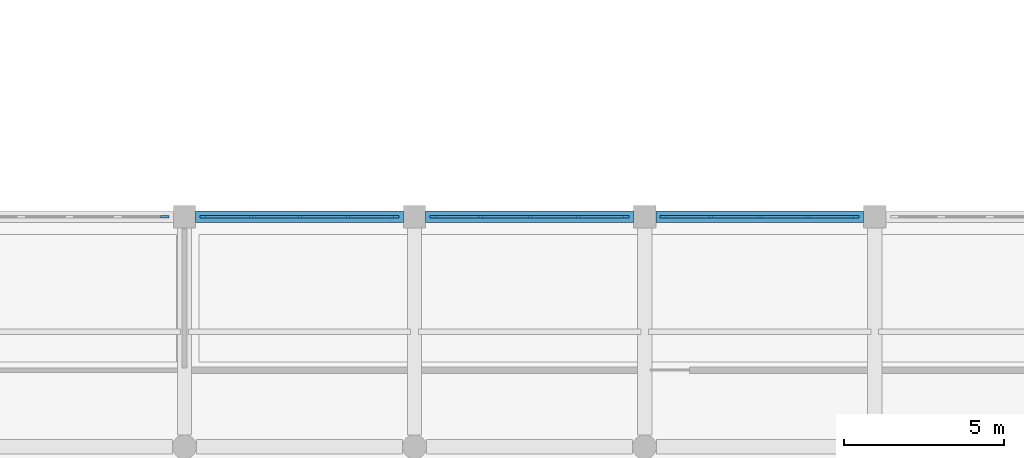
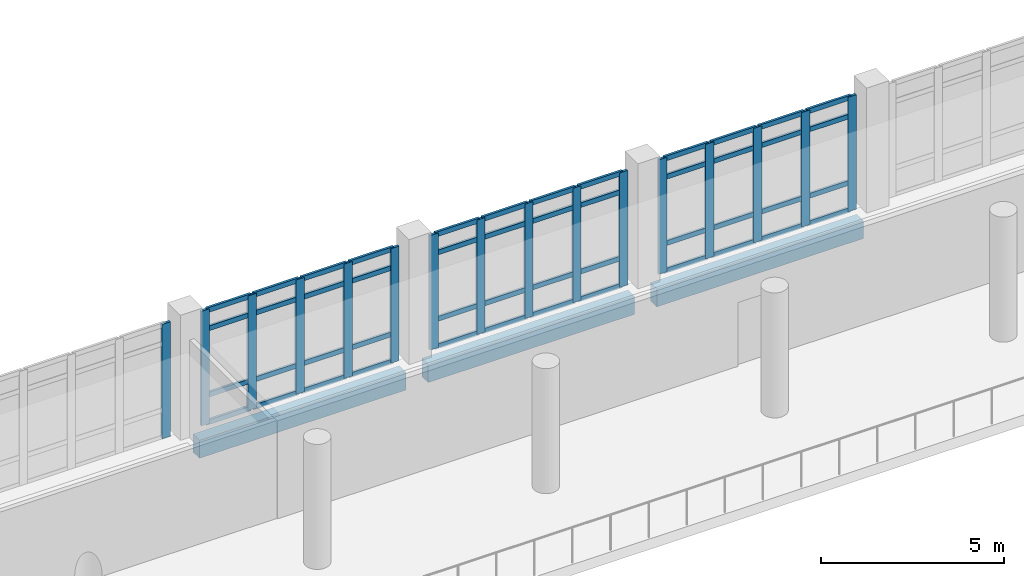
# One storey, part 19 of 57: 64 members, 3 beams, 4 elements without a shape of their own.
"""IFC4 building model written with IfcOpenShell, lengths in metres."""

from ifc_helpers import new_model, si_unit, direction, frame, origin, origin_2d, place, context, subcontext, project, spatial, rectangle, extrude, material, layer, layer_set, material_profile, profile_set, type_object, element, aggregate, save


model = new_model("IFC4")

# Units and contexts
model_context = context("Model", 3, precision=1e-05, world=origin(), true_north=direction((0.0, 1.0)))
body_context = subcontext(model_context, "Body", "Model", "MODEL_VIEW")
ifc_project = project(units=[si_unit("LENGTHUNIT", "METRE"), si_unit("AREAUNIT", "SQUARE_METRE"), si_unit("VOLUMEUNIT", "CUBIC_METRE"), si_unit("PLANEANGLEUNIT", "RADIAN"), si_unit("MASSUNIT", "GRAM", prefix="KILO")], contexts=[model_context])

# Site, building, storey
site_placement = place(None, origin())
site = spatial("IfcSite", under=ifc_project, at=site_placement, CompositionType="ELEMENT")
building_placement = place(site_placement, origin())
building = spatial("IfcBuilding", under=site, at=building_placement, Name="Valkovuoma Quantum and Materials Research Institute", CompositionType="ELEMENT")
storey_placement = place(building_placement, frame((0.0, 0.0, 4.800048828125)))
storey = spatial("IfcBuildingStorey", under=building, at=storey_placement, Name="L01", CompositionType="ELEMENT", Elevation=4.800048828125)

# Beams
ifc_material_1 = material(Name="Concrete C40/50", Category="concrete")
ifc_material_profile_1 = material_profile(ifc_material_1, rectangle(XDim=0.35009765625, YDim=0.60009765625, at=origin_2d()), Name="Concrete C40/50")
ifc_profile_set_1 = profile_set([ifc_material_profile_1], Name="Concrete C40/50")
beam_type = type_object("IfcBeamType", Name="Beam-B-SPN600", PredefinedType="SPANDREL", material=ifc_profile_set_1)
for number, where, z_axis, x_axis, name in (
    (1, (65.14990234375, 64.800048828125, -0.650146484375), (1.0, 0.0, 0.0), (0.0, 1.0, 0.0), "L01 beam X-0637"),
    (2, (72.35009765625, 64.800048828125, -0.650146484375), (1.0, 0.0, 0.0), (0.0, 1.0, 0.0), "L01 beam X-0638"),
    (3, (79.550048828125, 64.800048828125, -0.650146484375), (1.0, 0.0, 0.0), (0.0, 1.0, 0.0), "L01 beam X-0639"),
):
    element("IfcBeam", number, at=place(storey_placement, frame(where, z_axis=z_axis, x_axis=x_axis)), inside=storey, type_object=beam_type, Name=name, PredefinedType="SPANDREL", context=body_context, shape_type="SweptSolid", body=[
        extrude(rectangle(XDim=0.35009765625, YDim=0.60009765625, at=origin_2d()), origin(), (0.0, 0.0, 1.0), 6.5),
    ])

# Curtain wall, member
ifc_material_2 = material(Name="Thermally broken aluminium and triple low-E glazing", Category="aluminium")
ifc_layer = layer(ifc_material_2, 0.219970703125)
ifc_layer_set = layer_set([ifc_layer], Name="Thermally broken aluminium and triple low-E glazing")
curtain_wall_type = type_object("IfcCurtainWallType", Name="CW-CW-02", PredefinedType="NOTDEFINED", material=ifc_layer_set)
curtain_wall_1_placement = place(storey_placement, origin())
curtain_wall_1 = element("IfcCurtainWall", 4, at=curtain_wall_1_placement, inside=storey, type_object=curtain_wall_type, Name="L01 curtain wall 172", PredefinedType="NOTDEFINED")
ifc_material_3 = material(Name="Anodised aluminium 6060-T66", Category="aluminium")
ifc_material_profile_2 = material_profile(ifc_material_3, rectangle(XDim=0.080078125, YDim=0.260009765625, at=origin_2d()), Name="Anodised aluminium 6060-T66")
ifc_profile_set_2 = profile_set([ifc_material_profile_2], Name="Anodised aluminium 6060-T66")
member_type_1 = type_object("IfcMemberType", Name="CWMull-CWM-03", PredefinedType="MULLION", material=ifc_profile_set_2)
member_1_placement = place(storey_placement, frame((64.179931640625, 64.800048828125, 0.0), z_axis=(0.0, 0.0, 1.0), x_axis=(0.0, 1.0, 0.0)))
member_1 = element("IfcMember", 5, at=member_1_placement, type_object=member_type_1, Name="CW-02 mullion 5", PredefinedType="MULLION", context=body_context, shape_type="SweptSolid", body=[
    extrude(rectangle(XDim=0.080078125, YDim=0.260009765625, at=origin_2d()), origin(), (0.0, 0.0, 1.0), 3.81005859375),
])
aggregate(curtain_wall_1, [member_1])

# Curtain wall, members
curtain_wall_2_placement = place(storey_placement, origin())
curtain_wall_2 = element("IfcCurtainWall", 6, at=curtain_wall_2_placement, inside=storey, type_object=curtain_wall_type, Name="L01 curtain wall 173", PredefinedType="NOTDEFINED")
member_2_placement = place(storey_placement, frame((65.419921875, 64.800048828125, 0.0), z_axis=(0.0, 0.0, 1.0), x_axis=(0.0, 1.0, 0.0)))
member_2 = element("IfcMember", 7, at=member_2_placement, type_object=member_type_1, Name="CW-02 mullion 1", PredefinedType="MULLION", context=body_context, shape_type="SweptSolid", body=[
    extrude(rectangle(XDim=0.080078125, YDim=0.260009765625, at=origin_2d()), origin(), (0.0, 0.0, 1.0), 3.81005859375),
])
member_3_placement = place(storey_placement, frame((66.889892578125, 64.800048828125, 0.0), z_axis=(0.0, 0.0, 1.0), x_axis=(0.0, 1.0, 0.0)))
member_3 = element("IfcMember", 8, at=member_3_placement, type_object=member_type_1, Name="CW-02 mullion 2", PredefinedType="MULLION", context=body_context, shape_type="SweptSolid", body=[
    extrude(rectangle(XDim=0.080078125, YDim=0.260009765625, at=origin_2d()), origin(), (0.0, 0.0, 1.0), 3.81005859375),
])
member_4_placement = place(storey_placement, frame((68.39990234375, 64.800048828125, 0.0), z_axis=(0.0, 0.0, 1.0), x_axis=(0.0, 1.0, 0.0)))
member_4 = element("IfcMember", 9, at=member_4_placement, type_object=member_type_1, Name="CW-02 mullion 3", PredefinedType="MULLION", context=body_context, shape_type="SweptSolid", body=[
    extrude(rectangle(XDim=0.080078125, YDim=0.260009765625, at=origin_2d()), origin(), (0.0, 0.0, 1.0), 3.81005859375),
])
member_5_placement = place(storey_placement, frame((69.909912109375, 64.800048828125, 0.0), z_axis=(0.0, 0.0, 1.0), x_axis=(0.0, 1.0, 0.0)))
member_5 = element("IfcMember", 10, at=member_5_placement, type_object=member_type_1, Name="CW-02 mullion 4", PredefinedType="MULLION", context=body_context, shape_type="SweptSolid", body=[
    extrude(rectangle(XDim=0.080078125, YDim=0.260009765625, at=origin_2d()), origin(), (0.0, 0.0, 1.0), 3.81005859375),
])
member_6_placement = place(storey_placement, frame((71.3798828125, 64.800048828125, 0.0), z_axis=(0.0, 0.0, 1.0), x_axis=(0.0, 1.0, 0.0)))
member_6 = element("IfcMember", 11, at=member_6_placement, type_object=member_type_1, Name="CW-02 mullion 5", PredefinedType="MULLION", context=body_context, shape_type="SweptSolid", body=[
    extrude(rectangle(XDim=0.080078125, YDim=0.260009765625, at=origin_2d()), origin(), (0.0, 0.0, 1.0), 3.81005859375),
])

curtain_wall_3_placement = place(storey_placement, origin())
curtain_wall_3 = element("IfcCurtainWall", 12, at=curtain_wall_3_placement, inside=storey, type_object=curtain_wall_type, Name="L01 curtain wall 174", PredefinedType="NOTDEFINED")
member_7_placement = place(storey_placement, frame((72.6201171875, 64.800048828125, 0.0), z_axis=(0.0, 0.0, 1.0), x_axis=(0.0, 1.0, 0.0)))
member_7 = element("IfcMember", 13, at=member_7_placement, type_object=member_type_1, Name="CW-02 mullion 1", PredefinedType="MULLION", context=body_context, shape_type="SweptSolid", body=[
    extrude(rectangle(XDim=0.080078125, YDim=0.260009765625, at=origin_2d()), origin(), (0.0, 0.0, 1.0), 3.81005859375),
])
member_8_placement = place(storey_placement, frame((74.090087890625, 64.800048828125, 0.0), z_axis=(0.0, 0.0, 1.0), x_axis=(0.0, 1.0, 0.0)))
member_8 = element("IfcMember", 14, at=member_8_placement, type_object=member_type_1, Name="CW-02 mullion 2", PredefinedType="MULLION", context=body_context, shape_type="SweptSolid", body=[
    extrude(rectangle(XDim=0.080078125, YDim=0.260009765625, at=origin_2d()), origin(), (0.0, 0.0, 1.0), 3.81005859375),
])
member_9_placement = place(storey_placement, frame((75.60009765625, 64.800048828125, 0.0), z_axis=(0.0, 0.0, 1.0), x_axis=(0.0, 1.0, 0.0)))
member_9 = element("IfcMember", 15, at=member_9_placement, type_object=member_type_1, Name="CW-02 mullion 3", PredefinedType="MULLION", context=body_context, shape_type="SweptSolid", body=[
    extrude(rectangle(XDim=0.080078125, YDim=0.260009765625, at=origin_2d()), origin(), (0.0, 0.0, 1.0), 3.81005859375),
])
member_10_placement = place(storey_placement, frame((77.110107421875, 64.800048828125, 0.0), z_axis=(0.0, 0.0, 1.0), x_axis=(0.0, 1.0, 0.0)))
member_10 = element("IfcMember", 16, at=member_10_placement, type_object=member_type_1, Name="CW-02 mullion 4", PredefinedType="MULLION", context=body_context, shape_type="SweptSolid", body=[
    extrude(rectangle(XDim=0.080078125, YDim=0.260009765625, at=origin_2d()), origin(), (0.0, 0.0, 1.0), 3.81005859375),
])
member_11_placement = place(storey_placement, frame((78.580078125, 64.800048828125, 0.0), z_axis=(0.0, 0.0, 1.0), x_axis=(0.0, 1.0, 0.0)))
member_11 = element("IfcMember", 17, at=member_11_placement, type_object=member_type_1, Name="CW-02 mullion 5", PredefinedType="MULLION", context=body_context, shape_type="SweptSolid", body=[
    extrude(rectangle(XDim=0.080078125, YDim=0.260009765625, at=origin_2d()), origin(), (0.0, 0.0, 1.0), 3.81005859375),
])

curtain_wall_4_placement = place(storey_placement, origin())
curtain_wall_4 = element("IfcCurtainWall", 18, at=curtain_wall_4_placement, inside=storey, type_object=curtain_wall_type, Name="L01 curtain wall 175", PredefinedType="NOTDEFINED")
member_12_placement = place(storey_placement, frame((79.820068359375, 64.800048828125, 0.0), z_axis=(0.0, 0.0, 1.0), x_axis=(0.0, 1.0, 0.0)))
member_12 = element("IfcMember", 19, at=member_12_placement, type_object=member_type_1, Name="CW-02 mullion 1", PredefinedType="MULLION", context=body_context, shape_type="SweptSolid", body=[
    extrude(rectangle(XDim=0.080078125, YDim=0.260009765625, at=origin_2d()), origin(), (0.0, 0.0, 1.0), 3.81005859375),
])
member_13_placement = place(storey_placement, frame((81.2900390625, 64.800048828125, 0.0), z_axis=(0.0, 0.0, 1.0), x_axis=(0.0, 1.0, 0.0)))
member_13 = element("IfcMember", 20, at=member_13_placement, type_object=member_type_1, Name="CW-02 mullion 2", PredefinedType="MULLION", context=body_context, shape_type="SweptSolid", body=[
    extrude(rectangle(XDim=0.080078125, YDim=0.260009765625, at=origin_2d()), origin(), (0.0, 0.0, 1.0), 3.81005859375),
])
member_14_placement = place(storey_placement, frame((82.800048828125, 64.800048828125, 0.0), z_axis=(0.0, 0.0, 1.0), x_axis=(0.0, 1.0, 0.0)))
member_14 = element("IfcMember", 21, at=member_14_placement, type_object=member_type_1, Name="CW-02 mullion 3", PredefinedType="MULLION", context=body_context, shape_type="SweptSolid", body=[
    extrude(rectangle(XDim=0.080078125, YDim=0.260009765625, at=origin_2d()), origin(), (0.0, 0.0, 1.0), 3.81005859375),
])
member_15_placement = place(storey_placement, frame((84.31005859375, 64.800048828125, 0.0), z_axis=(0.0, 0.0, 1.0), x_axis=(0.0, 1.0, 0.0)))
member_15 = element("IfcMember", 22, at=member_15_placement, type_object=member_type_1, Name="CW-02 mullion 4", PredefinedType="MULLION", context=body_context, shape_type="SweptSolid", body=[
    extrude(rectangle(XDim=0.080078125, YDim=0.260009765625, at=origin_2d()), origin(), (0.0, 0.0, 1.0), 3.81005859375),
])
member_16_placement = place(storey_placement, frame((85.780029296875, 64.800048828125, 0.0), z_axis=(0.0, 0.0, 1.0), x_axis=(0.0, 1.0, 0.0)))
member_16 = element("IfcMember", 23, at=member_16_placement, type_object=member_type_1, Name="CW-02 mullion 5", PredefinedType="MULLION", context=body_context, shape_type="SweptSolid", body=[
    extrude(rectangle(XDim=0.080078125, YDim=0.260009765625, at=origin_2d()), origin(), (0.0, 0.0, 1.0), 3.81005859375),
])

# Member
ifc_material_4 = material(Name="Anodised aluminium 6060-T66", Category="aluminium")
ifc_material_profile_3 = material_profile(ifc_material_4, rectangle(XDim=0.074951171875, YDim=0.159912109375, at=origin_2d()), Name="Anodised aluminium 6060-T66")
ifc_profile_set_3 = profile_set([ifc_material_profile_3], Name="Anodised aluminium 6060-T66")
member_type_2 = type_object("IfcMemberType", Name="CWTran-CWT-02", PredefinedType="USERDEFINED", material=ifc_profile_set_3)
member_17_placement = place(storey_placement, frame((65.4599609375, 64.800048828125, 0.037353515625), z_axis=(1.0, 0.0, 0.0), x_axis=(0.0, 1.0, 0.0)))
member_17 = element("IfcMember", 24, at=member_17_placement, type_object=member_type_2, Name="CW-02 transom 1.1", ObjectType="TRANSOM", PredefinedType="USERDEFINED", context=body_context, shape_type="SweptSolid", body=[
    extrude(rectangle(XDim=0.074951171875, YDim=0.159912109375, at=origin_2d()), origin(), (0.0, 0.0, 1.0), 1.39013671875),
])

member_18_placement = place(storey_placement, frame((65.4599609375, 64.800048828125, 0.949951171875), z_axis=(1.0, 0.0, 0.0), x_axis=(0.0, 1.0, 0.0)))
member_18 = element("IfcMember", 25, at=member_18_placement, type_object=member_type_2, Name="CW-02 transom 1.2", ObjectType="TRANSOM", PredefinedType="USERDEFINED", context=body_context, shape_type="SweptSolid", body=[
    extrude(rectangle(XDim=0.074951171875, YDim=0.159912109375, at=origin_2d()), origin(), (0.0, 0.0, 1.0), 1.39013671875),
])

member_19_placement = place(storey_placement, frame((65.4599609375, 64.800048828125, 3.159912109375), z_axis=(1.0, 0.0, 0.0), x_axis=(0.0, 1.0, 0.0)))
member_19 = element("IfcMember", 26, at=member_19_placement, type_object=member_type_2, Name="CW-02 transom 1.3", ObjectType="TRANSOM", PredefinedType="USERDEFINED", context=body_context, shape_type="SweptSolid", body=[
    extrude(rectangle(XDim=0.074951171875, YDim=0.159912109375, at=origin_2d()), origin(), (0.0, 0.0, 1.0), 1.39013671875),
])

member_20_placement = place(storey_placement, frame((65.4599609375, 64.800048828125, 3.7724609375), z_axis=(1.0, 0.0, 0.0), x_axis=(0.0, 1.0, 0.0)))
member_20 = element("IfcMember", 27, at=member_20_placement, type_object=member_type_2, Name="CW-02 transom 1.4", ObjectType="TRANSOM", PredefinedType="USERDEFINED", context=body_context, shape_type="SweptSolid", body=[
    extrude(rectangle(XDim=0.074951171875, YDim=0.159912109375, at=origin_2d()), origin(), (0.0, 0.0, 1.0), 1.39013671875),
])

member_21_placement = place(storey_placement, frame((66.929931640625, 64.800048828125, 0.037353515625), z_axis=(1.0, 0.0, 0.0), x_axis=(0.0, 1.0, 0.0)))
member_21 = element("IfcMember", 28, at=member_21_placement, type_object=member_type_2, Name="CW-02 transom 2.1", ObjectType="TRANSOM", PredefinedType="USERDEFINED", context=body_context, shape_type="SweptSolid", body=[
    extrude(rectangle(XDim=0.074951171875, YDim=0.159912109375, at=origin_2d()), origin(), (0.0, 0.0, 1.0), 1.43017578125),
])

member_22_placement = place(storey_placement, frame((66.929931640625, 64.800048828125, 0.949951171875), z_axis=(1.0, 0.0, 0.0), x_axis=(0.0, 1.0, 0.0)))
member_22 = element("IfcMember", 29, at=member_22_placement, type_object=member_type_2, Name="CW-02 transom 2.2", ObjectType="TRANSOM", PredefinedType="USERDEFINED", context=body_context, shape_type="SweptSolid", body=[
    extrude(rectangle(XDim=0.074951171875, YDim=0.159912109375, at=origin_2d()), origin(), (0.0, 0.0, 1.0), 1.43017578125),
])

member_23_placement = place(storey_placement, frame((66.929931640625, 64.800048828125, 3.159912109375), z_axis=(1.0, 0.0, 0.0), x_axis=(0.0, 1.0, 0.0)))
member_23 = element("IfcMember", 30, at=member_23_placement, type_object=member_type_2, Name="CW-02 transom 2.3", ObjectType="TRANSOM", PredefinedType="USERDEFINED", context=body_context, shape_type="SweptSolid", body=[
    extrude(rectangle(XDim=0.074951171875, YDim=0.159912109375, at=origin_2d()), origin(), (0.0, 0.0, 1.0), 1.43017578125),
])

member_24_placement = place(storey_placement, frame((66.929931640625, 64.800048828125, 3.7724609375), z_axis=(1.0, 0.0, 0.0), x_axis=(0.0, 1.0, 0.0)))
member_24 = element("IfcMember", 31, at=member_24_placement, type_object=member_type_2, Name="CW-02 transom 2.4", ObjectType="TRANSOM", PredefinedType="USERDEFINED", context=body_context, shape_type="SweptSolid", body=[
    extrude(rectangle(XDim=0.074951171875, YDim=0.159912109375, at=origin_2d()), origin(), (0.0, 0.0, 1.0), 1.43017578125),
])

member_25_placement = place(storey_placement, frame((68.43994140625, 64.800048828125, 0.037353515625), z_axis=(1.0, 0.0, 0.0), x_axis=(0.0, 1.0, 0.0)))
member_25 = element("IfcMember", 32, at=member_25_placement, type_object=member_type_2, Name="CW-02 transom 3.1", ObjectType="TRANSOM", PredefinedType="USERDEFINED", context=body_context, shape_type="SweptSolid", body=[
    extrude(rectangle(XDim=0.074951171875, YDim=0.159912109375, at=origin_2d()), origin(), (0.0, 0.0, 1.0), 1.43017578125),
])

member_26_placement = place(storey_placement, frame((68.43994140625, 64.800048828125, 0.949951171875), z_axis=(1.0, 0.0, 0.0), x_axis=(0.0, 1.0, 0.0)))
member_26 = element("IfcMember", 33, at=member_26_placement, type_object=member_type_2, Name="CW-02 transom 3.2", ObjectType="TRANSOM", PredefinedType="USERDEFINED", context=body_context, shape_type="SweptSolid", body=[
    extrude(rectangle(XDim=0.074951171875, YDim=0.159912109375, at=origin_2d()), origin(), (0.0, 0.0, 1.0), 1.43017578125),
])

member_27_placement = place(storey_placement, frame((68.43994140625, 64.800048828125, 3.159912109375), z_axis=(1.0, 0.0, 0.0), x_axis=(0.0, 1.0, 0.0)))
member_27 = element("IfcMember", 34, at=member_27_placement, type_object=member_type_2, Name="CW-02 transom 3.3", ObjectType="TRANSOM", PredefinedType="USERDEFINED", context=body_context, shape_type="SweptSolid", body=[
    extrude(rectangle(XDim=0.074951171875, YDim=0.159912109375, at=origin_2d()), origin(), (0.0, 0.0, 1.0), 1.43017578125),
])

member_28_placement = place(storey_placement, frame((68.43994140625, 64.800048828125, 3.7724609375), z_axis=(1.0, 0.0, 0.0), x_axis=(0.0, 1.0, 0.0)))
member_28 = element("IfcMember", 35, at=member_28_placement, type_object=member_type_2, Name="CW-02 transom 3.4", ObjectType="TRANSOM", PredefinedType="USERDEFINED", context=body_context, shape_type="SweptSolid", body=[
    extrude(rectangle(XDim=0.074951171875, YDim=0.159912109375, at=origin_2d()), origin(), (0.0, 0.0, 1.0), 1.43017578125),
])

member_29_placement = place(storey_placement, frame((69.949951171875, 64.800048828125, 0.037353515625), z_axis=(1.0, 0.0, 0.0), x_axis=(0.0, 1.0, 0.0)))
member_29 = element("IfcMember", 36, at=member_29_placement, type_object=member_type_2, Name="CW-02 transom 4.1", ObjectType="TRANSOM", PredefinedType="USERDEFINED", context=body_context, shape_type="SweptSolid", body=[
    extrude(rectangle(XDim=0.074951171875, YDim=0.159912109375, at=origin_2d()), origin(), (0.0, 0.0, 1.0), 1.39013671875),
])

member_30_placement = place(storey_placement, frame((69.949951171875, 64.800048828125, 0.949951171875), z_axis=(1.0, 0.0, 0.0), x_axis=(0.0, 1.0, 0.0)))
member_30 = element("IfcMember", 37, at=member_30_placement, type_object=member_type_2, Name="CW-02 transom 4.2", ObjectType="TRANSOM", PredefinedType="USERDEFINED", context=body_context, shape_type="SweptSolid", body=[
    extrude(rectangle(XDim=0.074951171875, YDim=0.159912109375, at=origin_2d()), origin(), (0.0, 0.0, 1.0), 1.39013671875),
])

member_31_placement = place(storey_placement, frame((69.949951171875, 64.800048828125, 3.159912109375), z_axis=(1.0, 0.0, 0.0), x_axis=(0.0, 1.0, 0.0)))
member_31 = element("IfcMember", 38, at=member_31_placement, type_object=member_type_2, Name="CW-02 transom 4.3", ObjectType="TRANSOM", PredefinedType="USERDEFINED", context=body_context, shape_type="SweptSolid", body=[
    extrude(rectangle(XDim=0.074951171875, YDim=0.159912109375, at=origin_2d()), origin(), (0.0, 0.0, 1.0), 1.39013671875),
])

member_32_placement = place(storey_placement, frame((69.949951171875, 64.800048828125, 3.7724609375), z_axis=(1.0, 0.0, 0.0), x_axis=(0.0, 1.0, 0.0)))
member_32 = element("IfcMember", 39, at=member_32_placement, type_object=member_type_2, Name="CW-02 transom 4.4", ObjectType="TRANSOM", PredefinedType="USERDEFINED", context=body_context, shape_type="SweptSolid", body=[
    extrude(rectangle(XDim=0.074951171875, YDim=0.159912109375, at=origin_2d()), origin(), (0.0, 0.0, 1.0), 1.39013671875),
])

aggregate(curtain_wall_2, [member_2, member_3, member_4, member_5, member_6, member_17, member_18, member_19, member_20, member_21, member_22, member_23, member_24, member_25, member_26, member_27, member_28, member_29, member_30, member_31, member_32])

member_33_placement = place(storey_placement, frame((72.659912109375, 64.800048828125, 0.037353515625), z_axis=(1.0, 0.0, 0.0), x_axis=(0.0, 1.0, 0.0)))
member_33 = element("IfcMember", 40, at=member_33_placement, type_object=member_type_2, Name="CW-02 transom 1.1", ObjectType="TRANSOM", PredefinedType="USERDEFINED", context=body_context, shape_type="SweptSolid", body=[
    extrude(rectangle(XDim=0.074951171875, YDim=0.159912109375, at=origin_2d()), origin(), (0.0, 0.0, 1.0), 1.39013671875),
])

member_34_placement = place(storey_placement, frame((72.659912109375, 64.800048828125, 0.949951171875), z_axis=(1.0, 0.0, 0.0), x_axis=(0.0, 1.0, 0.0)))
member_34 = element("IfcMember", 41, at=member_34_placement, type_object=member_type_2, Name="CW-02 transom 1.2", ObjectType="TRANSOM", PredefinedType="USERDEFINED", context=body_context, shape_type="SweptSolid", body=[
    extrude(rectangle(XDim=0.074951171875, YDim=0.159912109375, at=origin_2d()), origin(), (0.0, 0.0, 1.0), 1.39013671875),
])

member_35_placement = place(storey_placement, frame((72.659912109375, 64.800048828125, 3.159912109375), z_axis=(1.0, 0.0, 0.0), x_axis=(0.0, 1.0, 0.0)))
member_35 = element("IfcMember", 42, at=member_35_placement, type_object=member_type_2, Name="CW-02 transom 1.3", ObjectType="TRANSOM", PredefinedType="USERDEFINED", context=body_context, shape_type="SweptSolid", body=[
    extrude(rectangle(XDim=0.074951171875, YDim=0.159912109375, at=origin_2d()), origin(), (0.0, 0.0, 1.0), 1.39013671875),
])

member_36_placement = place(storey_placement, frame((72.659912109375, 64.800048828125, 3.7724609375), z_axis=(1.0, 0.0, 0.0), x_axis=(0.0, 1.0, 0.0)))
member_36 = element("IfcMember", 43, at=member_36_placement, type_object=member_type_2, Name="CW-02 transom 1.4", ObjectType="TRANSOM", PredefinedType="USERDEFINED", context=body_context, shape_type="SweptSolid", body=[
    extrude(rectangle(XDim=0.074951171875, YDim=0.159912109375, at=origin_2d()), origin(), (0.0, 0.0, 1.0), 1.39013671875),
])

member_37_placement = place(storey_placement, frame((74.1298828125, 64.800048828125, 0.037353515625), z_axis=(1.0, 0.0, 0.0), x_axis=(0.0, 1.0, 0.0)))
member_37 = element("IfcMember", 44, at=member_37_placement, type_object=member_type_2, Name="CW-02 transom 2.1", ObjectType="TRANSOM", PredefinedType="USERDEFINED", context=body_context, shape_type="SweptSolid", body=[
    extrude(rectangle(XDim=0.074951171875, YDim=0.159912109375, at=origin_2d()), origin(), (0.0, 0.0, 1.0), 1.43017578125),
])

member_38_placement = place(storey_placement, frame((74.1298828125, 64.800048828125, 0.949951171875), z_axis=(1.0, 0.0, 0.0), x_axis=(0.0, 1.0, 0.0)))
member_38 = element("IfcMember", 45, at=member_38_placement, type_object=member_type_2, Name="CW-02 transom 2.2", ObjectType="TRANSOM", PredefinedType="USERDEFINED", context=body_context, shape_type="SweptSolid", body=[
    extrude(rectangle(XDim=0.074951171875, YDim=0.159912109375, at=origin_2d()), origin(), (0.0, 0.0, 1.0), 1.43017578125),
])

member_39_placement = place(storey_placement, frame((74.1298828125, 64.800048828125, 3.159912109375), z_axis=(1.0, 0.0, 0.0), x_axis=(0.0, 1.0, 0.0)))
member_39 = element("IfcMember", 46, at=member_39_placement, type_object=member_type_2, Name="CW-02 transom 2.3", ObjectType="TRANSOM", PredefinedType="USERDEFINED", context=body_context, shape_type="SweptSolid", body=[
    extrude(rectangle(XDim=0.074951171875, YDim=0.159912109375, at=origin_2d()), origin(), (0.0, 0.0, 1.0), 1.43017578125),
])

member_40_placement = place(storey_placement, frame((74.1298828125, 64.800048828125, 3.7724609375), z_axis=(1.0, 0.0, 0.0), x_axis=(0.0, 1.0, 0.0)))
member_40 = element("IfcMember", 47, at=member_40_placement, type_object=member_type_2, Name="CW-02 transom 2.4", ObjectType="TRANSOM", PredefinedType="USERDEFINED", context=body_context, shape_type="SweptSolid", body=[
    extrude(rectangle(XDim=0.074951171875, YDim=0.159912109375, at=origin_2d()), origin(), (0.0, 0.0, 1.0), 1.43017578125),
])

member_41_placement = place(storey_placement, frame((75.639892578125, 64.800048828125, 0.037353515625), z_axis=(1.0, 0.0, 0.0), x_axis=(0.0, 1.0, 0.0)))
member_41 = element("IfcMember", 48, at=member_41_placement, type_object=member_type_2, Name="CW-02 transom 3.1", ObjectType="TRANSOM", PredefinedType="USERDEFINED", context=body_context, shape_type="SweptSolid", body=[
    extrude(rectangle(XDim=0.074951171875, YDim=0.159912109375, at=origin_2d()), origin(), (0.0, 0.0, 1.0), 1.43017578125),
])

member_42_placement = place(storey_placement, frame((75.639892578125, 64.800048828125, 0.949951171875), z_axis=(1.0, 0.0, 0.0), x_axis=(0.0, 1.0, 0.0)))
member_42 = element("IfcMember", 49, at=member_42_placement, type_object=member_type_2, Name="CW-02 transom 3.2", ObjectType="TRANSOM", PredefinedType="USERDEFINED", context=body_context, shape_type="SweptSolid", body=[
    extrude(rectangle(XDim=0.074951171875, YDim=0.159912109375, at=origin_2d()), origin(), (0.0, 0.0, 1.0), 1.43017578125),
])

member_43_placement = place(storey_placement, frame((75.639892578125, 64.800048828125, 3.159912109375), z_axis=(1.0, 0.0, 0.0), x_axis=(0.0, 1.0, 0.0)))
member_43 = element("IfcMember", 50, at=member_43_placement, type_object=member_type_2, Name="CW-02 transom 3.3", ObjectType="TRANSOM", PredefinedType="USERDEFINED", context=body_context, shape_type="SweptSolid", body=[
    extrude(rectangle(XDim=0.074951171875, YDim=0.159912109375, at=origin_2d()), origin(), (0.0, 0.0, 1.0), 1.43017578125),
])

member_44_placement = place(storey_placement, frame((75.639892578125, 64.800048828125, 3.7724609375), z_axis=(1.0, 0.0, 0.0), x_axis=(0.0, 1.0, 0.0)))
member_44 = element("IfcMember", 51, at=member_44_placement, type_object=member_type_2, Name="CW-02 transom 3.4", ObjectType="TRANSOM", PredefinedType="USERDEFINED", context=body_context, shape_type="SweptSolid", body=[
    extrude(rectangle(XDim=0.074951171875, YDim=0.159912109375, at=origin_2d()), origin(), (0.0, 0.0, 1.0), 1.43017578125),
])

member_45_placement = place(storey_placement, frame((77.14990234375, 64.800048828125, 0.037353515625), z_axis=(1.0, 0.0, 0.0), x_axis=(0.0, 1.0, 0.0)))
member_45 = element("IfcMember", 52, at=member_45_placement, type_object=member_type_2, Name="CW-02 transom 4.1", ObjectType="TRANSOM", PredefinedType="USERDEFINED", context=body_context, shape_type="SweptSolid", body=[
    extrude(rectangle(XDim=0.074951171875, YDim=0.159912109375, at=origin_2d()), origin(), (0.0, 0.0, 1.0), 1.39013671875),
])

member_46_placement = place(storey_placement, frame((77.14990234375, 64.800048828125, 0.949951171875), z_axis=(1.0, 0.0, 0.0), x_axis=(0.0, 1.0, 0.0)))
member_46 = element("IfcMember", 53, at=member_46_placement, type_object=member_type_2, Name="CW-02 transom 4.2", ObjectType="TRANSOM", PredefinedType="USERDEFINED", context=body_context, shape_type="SweptSolid", body=[
    extrude(rectangle(XDim=0.074951171875, YDim=0.159912109375, at=origin_2d()), origin(), (0.0, 0.0, 1.0), 1.39013671875),
])

member_47_placement = place(storey_placement, frame((77.14990234375, 64.800048828125, 3.159912109375), z_axis=(1.0, 0.0, 0.0), x_axis=(0.0, 1.0, 0.0)))
member_47 = element("IfcMember", 54, at=member_47_placement, type_object=member_type_2, Name="CW-02 transom 4.3", ObjectType="TRANSOM", PredefinedType="USERDEFINED", context=body_context, shape_type="SweptSolid", body=[
    extrude(rectangle(XDim=0.074951171875, YDim=0.159912109375, at=origin_2d()), origin(), (0.0, 0.0, 1.0), 1.39013671875),
])

member_48_placement = place(storey_placement, frame((77.14990234375, 64.800048828125, 3.7724609375), z_axis=(1.0, 0.0, 0.0), x_axis=(0.0, 1.0, 0.0)))
member_48 = element("IfcMember", 55, at=member_48_placement, type_object=member_type_2, Name="CW-02 transom 4.4", ObjectType="TRANSOM", PredefinedType="USERDEFINED", context=body_context, shape_type="SweptSolid", body=[
    extrude(rectangle(XDim=0.074951171875, YDim=0.159912109375, at=origin_2d()), origin(), (0.0, 0.0, 1.0), 1.39013671875),
])

aggregate(curtain_wall_3, [member_7, member_8, member_9, member_10, member_11, member_33, member_34, member_35, member_36, member_37, member_38, member_39, member_40, member_41, member_42, member_43, member_44, member_45, member_46, member_47, member_48])

member_49_placement = place(storey_placement, frame((79.860107421875, 64.800048828125, 0.037353515625), z_axis=(1.0, 0.0, 0.0), x_axis=(0.0, 1.0, 0.0)))
member_49 = element("IfcMember", 56, at=member_49_placement, type_object=member_type_2, Name="CW-02 transom 1.1", ObjectType="TRANSOM", PredefinedType="USERDEFINED", context=body_context, shape_type="SweptSolid", body=[
    extrude(rectangle(XDim=0.074951171875, YDim=0.159912109375, at=origin_2d()), origin(), (0.0, 0.0, 1.0), 1.389892578125),
])

member_50_placement = place(storey_placement, frame((79.860107421875, 64.800048828125, 0.949951171875), z_axis=(1.0, 0.0, 0.0), x_axis=(0.0, 1.0, 0.0)))
member_50 = element("IfcMember", 57, at=member_50_placement, type_object=member_type_2, Name="CW-02 transom 1.2", ObjectType="TRANSOM", PredefinedType="USERDEFINED", context=body_context, shape_type="SweptSolid", body=[
    extrude(rectangle(XDim=0.074951171875, YDim=0.159912109375, at=origin_2d()), origin(), (0.0, 0.0, 1.0), 1.389892578125),
])

member_51_placement = place(storey_placement, frame((79.860107421875, 64.800048828125, 3.159912109375), z_axis=(1.0, 0.0, 0.0), x_axis=(0.0, 1.0, 0.0)))
member_51 = element("IfcMember", 58, at=member_51_placement, type_object=member_type_2, Name="CW-02 transom 1.3", ObjectType="TRANSOM", PredefinedType="USERDEFINED", context=body_context, shape_type="SweptSolid", body=[
    extrude(rectangle(XDim=0.074951171875, YDim=0.159912109375, at=origin_2d()), origin(), (0.0, 0.0, 1.0), 1.389892578125),
])

member_52_placement = place(storey_placement, frame((79.860107421875, 64.800048828125, 3.7724609375), z_axis=(1.0, 0.0, 0.0), x_axis=(0.0, 1.0, 0.0)))
member_52 = element("IfcMember", 59, at=member_52_placement, type_object=member_type_2, Name="CW-02 transom 1.4", ObjectType="TRANSOM", PredefinedType="USERDEFINED", context=body_context, shape_type="SweptSolid", body=[
    extrude(rectangle(XDim=0.074951171875, YDim=0.159912109375, at=origin_2d()), origin(), (0.0, 0.0, 1.0), 1.389892578125),
])

member_53_placement = place(storey_placement, frame((81.330078125, 64.800048828125, 0.037353515625), z_axis=(1.0, 0.0, 0.0), x_axis=(0.0, 1.0, 0.0)))
member_53 = element("IfcMember", 60, at=member_53_placement, type_object=member_type_2, Name="CW-02 transom 2.1", ObjectType="TRANSOM", PredefinedType="USERDEFINED", context=body_context, shape_type="SweptSolid", body=[
    extrude(rectangle(XDim=0.074951171875, YDim=0.159912109375, at=origin_2d()), origin(), (0.0, 0.0, 1.0), 1.429931640625),
])

member_54_placement = place(storey_placement, frame((81.330078125, 64.800048828125, 0.949951171875), z_axis=(1.0, 0.0, 0.0), x_axis=(0.0, 1.0, 0.0)))
member_54 = element("IfcMember", 61, at=member_54_placement, type_object=member_type_2, Name="CW-02 transom 2.2", ObjectType="TRANSOM", PredefinedType="USERDEFINED", context=body_context, shape_type="SweptSolid", body=[
    extrude(rectangle(XDim=0.074951171875, YDim=0.159912109375, at=origin_2d()), origin(), (0.0, 0.0, 1.0), 1.429931640625),
])

member_55_placement = place(storey_placement, frame((81.330078125, 64.800048828125, 3.159912109375), z_axis=(1.0, 0.0, 0.0), x_axis=(0.0, 1.0, 0.0)))
member_55 = element("IfcMember", 62, at=member_55_placement, type_object=member_type_2, Name="CW-02 transom 2.3", ObjectType="TRANSOM", PredefinedType="USERDEFINED", context=body_context, shape_type="SweptSolid", body=[
    extrude(rectangle(XDim=0.074951171875, YDim=0.159912109375, at=origin_2d()), origin(), (0.0, 0.0, 1.0), 1.429931640625),
])

member_56_placement = place(storey_placement, frame((81.330078125, 64.800048828125, 3.7724609375), z_axis=(1.0, 0.0, 0.0), x_axis=(0.0, 1.0, 0.0)))
member_56 = element("IfcMember", 63, at=member_56_placement, type_object=member_type_2, Name="CW-02 transom 2.4", ObjectType="TRANSOM", PredefinedType="USERDEFINED", context=body_context, shape_type="SweptSolid", body=[
    extrude(rectangle(XDim=0.074951171875, YDim=0.159912109375, at=origin_2d()), origin(), (0.0, 0.0, 1.0), 1.429931640625),
])

member_57_placement = place(storey_placement, frame((82.840087890625, 64.800048828125, 0.037353515625), z_axis=(1.0, 0.0, 0.0), x_axis=(0.0, 1.0, 0.0)))
member_57 = element("IfcMember", 64, at=member_57_placement, type_object=member_type_2, Name="CW-02 transom 3.1", ObjectType="TRANSOM", PredefinedType="USERDEFINED", context=body_context, shape_type="SweptSolid", body=[
    extrude(rectangle(XDim=0.074951171875, YDim=0.159912109375, at=origin_2d()), origin(), (0.0, 0.0, 1.0), 1.429931640625),
])

member_58_placement = place(storey_placement, frame((82.840087890625, 64.800048828125, 0.949951171875), z_axis=(1.0, 0.0, 0.0), x_axis=(0.0, 1.0, 0.0)))
member_58 = element("IfcMember", 65, at=member_58_placement, type_object=member_type_2, Name="CW-02 transom 3.2", ObjectType="TRANSOM", PredefinedType="USERDEFINED", context=body_context, shape_type="SweptSolid", body=[
    extrude(rectangle(XDim=0.074951171875, YDim=0.159912109375, at=origin_2d()), origin(), (0.0, 0.0, 1.0), 1.429931640625),
])

member_59_placement = place(storey_placement, frame((82.840087890625, 64.800048828125, 3.159912109375), z_axis=(1.0, 0.0, 0.0), x_axis=(0.0, 1.0, 0.0)))
member_59 = element("IfcMember", 66, at=member_59_placement, type_object=member_type_2, Name="CW-02 transom 3.3", ObjectType="TRANSOM", PredefinedType="USERDEFINED", context=body_context, shape_type="SweptSolid", body=[
    extrude(rectangle(XDim=0.074951171875, YDim=0.159912109375, at=origin_2d()), origin(), (0.0, 0.0, 1.0), 1.429931640625),
])

member_60_placement = place(storey_placement, frame((82.840087890625, 64.800048828125, 3.7724609375), z_axis=(1.0, 0.0, 0.0), x_axis=(0.0, 1.0, 0.0)))
member_60 = element("IfcMember", 67, at=member_60_placement, type_object=member_type_2, Name="CW-02 transom 3.4", ObjectType="TRANSOM", PredefinedType="USERDEFINED", context=body_context, shape_type="SweptSolid", body=[
    extrude(rectangle(XDim=0.074951171875, YDim=0.159912109375, at=origin_2d()), origin(), (0.0, 0.0, 1.0), 1.429931640625),
])

member_61_placement = place(storey_placement, frame((84.35009765625, 64.800048828125, 0.037353515625), z_axis=(1.0, 0.0, 0.0), x_axis=(0.0, 1.0, 0.0)))
member_61 = element("IfcMember", 68, at=member_61_placement, type_object=member_type_2, Name="CW-02 transom 4.1", ObjectType="TRANSOM", PredefinedType="USERDEFINED", context=body_context, shape_type="SweptSolid", body=[
    extrude(rectangle(XDim=0.074951171875, YDim=0.159912109375, at=origin_2d()), origin(), (0.0, 0.0, 1.0), 1.389892578125),
])

member_62_placement = place(storey_placement, frame((84.35009765625, 64.800048828125, 0.949951171875), z_axis=(1.0, 0.0, 0.0), x_axis=(0.0, 1.0, 0.0)))
member_62 = element("IfcMember", 69, at=member_62_placement, type_object=member_type_2, Name="CW-02 transom 4.2", ObjectType="TRANSOM", PredefinedType="USERDEFINED", context=body_context, shape_type="SweptSolid", body=[
    extrude(rectangle(XDim=0.074951171875, YDim=0.159912109375, at=origin_2d()), origin(), (0.0, 0.0, 1.0), 1.389892578125),
])

member_63_placement = place(storey_placement, frame((84.35009765625, 64.800048828125, 3.159912109375), z_axis=(1.0, 0.0, 0.0), x_axis=(0.0, 1.0, 0.0)))
member_63 = element("IfcMember", 70, at=member_63_placement, type_object=member_type_2, Name="CW-02 transom 4.3", ObjectType="TRANSOM", PredefinedType="USERDEFINED", context=body_context, shape_type="SweptSolid", body=[
    extrude(rectangle(XDim=0.074951171875, YDim=0.159912109375, at=origin_2d()), origin(), (0.0, 0.0, 1.0), 1.389892578125),
])

member_64_placement = place(storey_placement, frame((84.35009765625, 64.800048828125, 3.7724609375), z_axis=(1.0, 0.0, 0.0), x_axis=(0.0, 1.0, 0.0)))
member_64 = element("IfcMember", 71, at=member_64_placement, type_object=member_type_2, Name="CW-02 transom 4.4", ObjectType="TRANSOM", PredefinedType="USERDEFINED", context=body_context, shape_type="SweptSolid", body=[
    extrude(rectangle(XDim=0.074951171875, YDim=0.159912109375, at=origin_2d()), origin(), (0.0, 0.0, 1.0), 1.389892578125),
])

aggregate(curtain_wall_4, [member_12, member_13, member_14, member_15, member_16, member_49, member_50, member_51, member_52, member_53, member_54, member_55, member_56, member_57, member_58, member_59, member_60, member_61, member_62, member_63, member_64])

save(model, "model.ifc")
